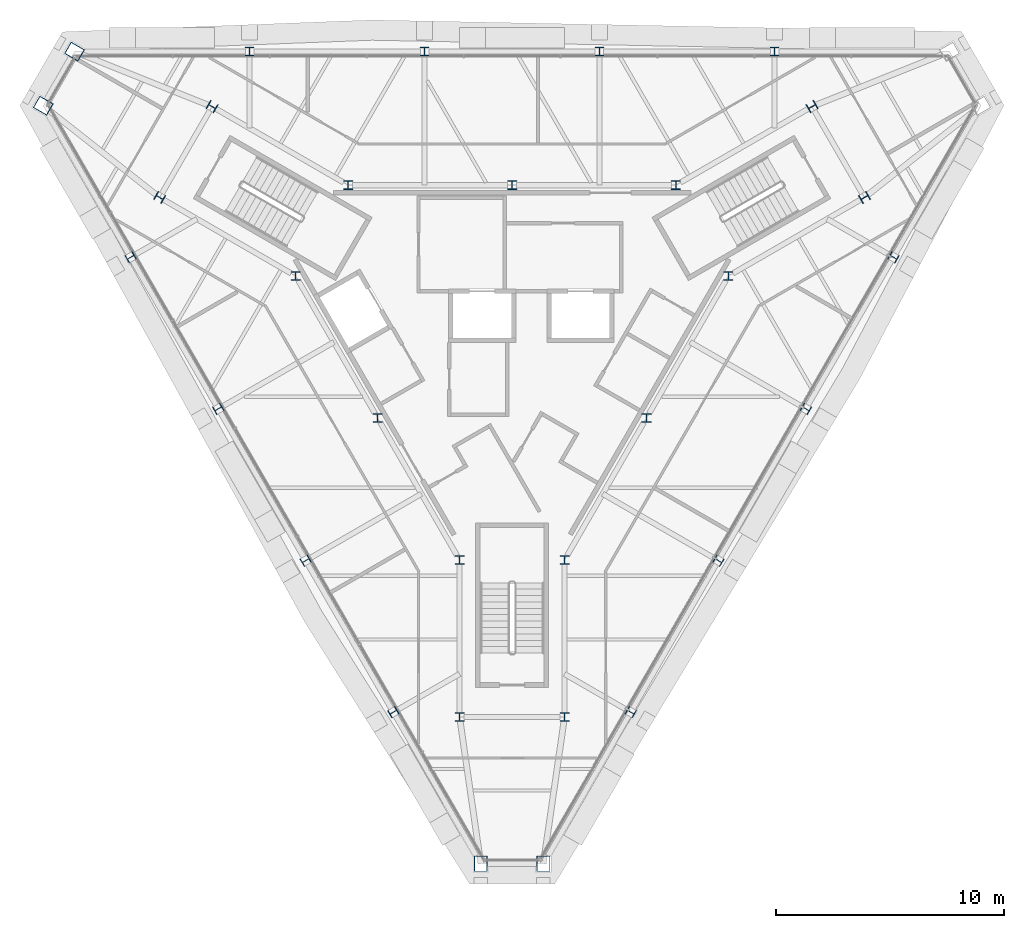
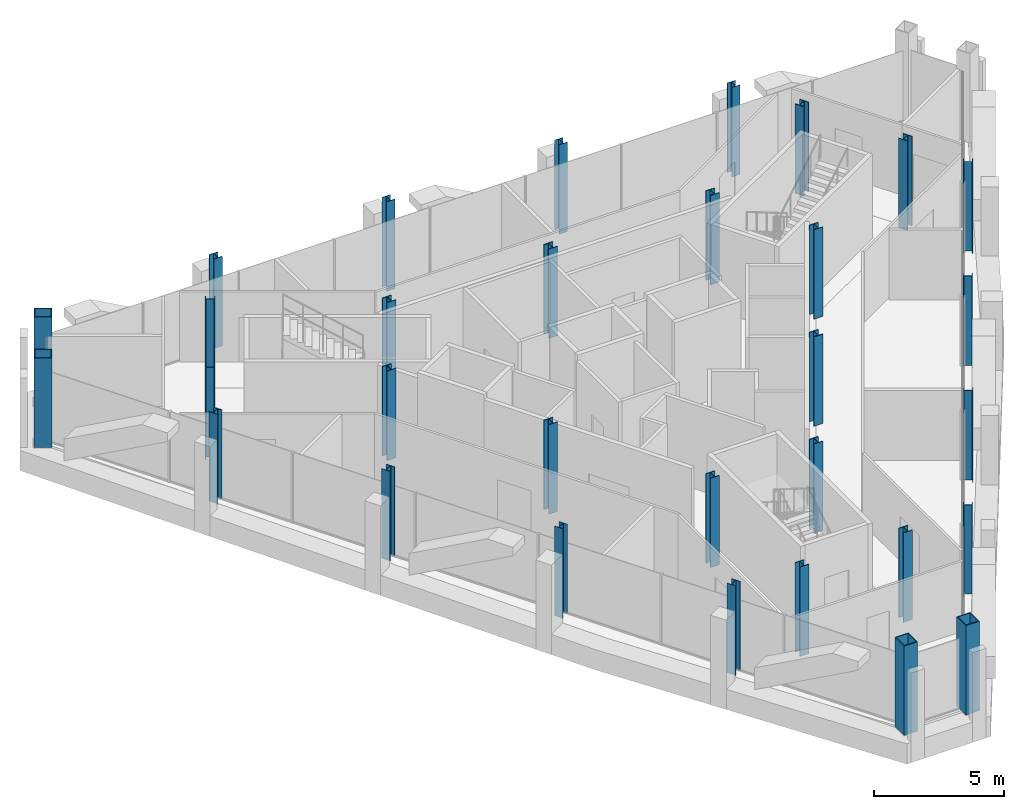
# One storey, part 1 of 13: 31 columns.
"""IFC4 building model written with IfcOpenShell, lengths in metres."""

from ifc_helpers import new_model, si_unit, direction, frame, origin, origin_2d, place, context, subcontext, project, spatial, hollow_rectangle, i_section, extrude, material, material_profile, profile_set, type_object, element, save


model = new_model("IFC4")

# Units and contexts
model_context = context("Model", 3, precision=1e-05, world=origin(), true_north=direction((0.0, 1.0)))
body_context = subcontext(model_context, "Body", "Model", "MODEL_VIEW")
ifc_project = project(units=[si_unit("LENGTHUNIT", "METRE"), si_unit("AREAUNIT", "SQUARE_METRE"), si_unit("VOLUMEUNIT", "CUBIC_METRE"), si_unit("PLANEANGLEUNIT", "RADIAN"), si_unit("MASSUNIT", "GRAM", prefix="KILO")], contexts=[model_context])

# Site, building, storey
site_placement = place(None, origin())
site = spatial("IfcSite", under=ifc_project, at=site_placement, CompositionType="ELEMENT")
building_placement = place(site_placement, origin())
building = spatial("IfcBuilding", under=site, at=building_placement, Name="Verrane Prism Tower", CompositionType="ELEMENT")
storey_placement = place(building_placement, frame((0.0, 0.0, 312.60009765625)))
storey = spatial("IfcBuildingStorey", under=building, at=storey_placement, Name="L79", CompositionType="ELEMENT", Elevation=312.60009765625)

# Columns
ifc_material_1 = material(Name="Steel A992", Category="steel")
ifc_material_profile_1 = material_profile(ifc_material_1, i_section(OverallWidth=0.398681640625, OverallDepth=0.385986328125, WebThickness=0.02099609375, FlangeThickness=0.033203125, FilletRadius=0.01513671875, at=origin_2d()), Name="W14x176")
ifc_profile_set_1 = profile_set([ifc_material_profile_1], Name="Steel A992")
column_type_1 = type_object("IfcColumnType", Name="Core corner column W14x176", PredefinedType="COLUMN", material=ifc_profile_set_1)
for number, where, z_axis, x_axis, name in (
    (1, (15.43994140625, 6.260009765625, 0.0), (0.0, 0.0, 1.0), (0.5, -0.866025403784, 0.0), "Core corner column CK-NEm L79"),
    (2, (13.139892578125, 10.239990234375, 0.0), (0.0, 0.0, 1.0), (0.5, -0.866025403784, 0.0), "Core corner column CK-NEp L79"),
    (3, (-13.139892578125, 10.239990234375, 0.0), (0.0, 0.0, 1.0), (0.5, 0.866025403784, 0.0), "Core corner column CK-NWm L79"),
    (4, (-15.43994140625, 6.260009765625, 0.0), (0.0, 0.0, 1.0), (0.5, 0.866025403784, 0.0), "Core corner column CK-NWp L79"),
    (5, (-2.300048828125, -16.5, 0.0), (0.0, 0.0, 1.0), (-1.0, 0.0, 0.0), "Core corner column CK-Sm L79"),
    (6, (2.300048828125, -16.5, 0.0), (0.0, 0.0, 1.0), (-1.0, 0.0, 0.0), "Core corner column CK-Sp L79"),
):
    element("IfcColumn", number, at=place(storey_placement, frame(where, z_axis=z_axis, x_axis=x_axis)), inside=storey, type_object=column_type_1, Name=name, PredefinedType="COLUMN", context=body_context, shape_type="SweptSolid", body=[
        extrude(i_section(OverallWidth=0.398681640625, OverallDepth=0.385986328125, WebThickness=0.02099609375, FlangeThickness=0.033203125, FilletRadius=0.01513671875, at=origin_2d()), origin(), (0.0, 0.0, 1.0), 4.199951171875),
    ])
ifc_material_2 = material(Name="Steel A992", Category="steel")
ifc_material_profile_2 = material_profile(ifc_material_2, i_section(OverallWidth=0.398681640625, OverallDepth=0.385986328125, WebThickness=0.02099609375, FlangeThickness=0.033203125, FilletRadius=0.01513671875, at=origin_2d()), Name="W14x176")
ifc_profile_set_2 = profile_set([ifc_material_profile_2], Name="Steel A992")
column_type_2 = type_object("IfcColumnType", Name="Core side column W14x176", PredefinedType="COLUMN", material=ifc_profile_set_2)
for number, where, z_axis, x_axis, name in (
    (7, (9.47998046875, 2.820068359375, 0.0), (0.0, 0.0, 1.0), (1.0, 0.0, 0.0), "Core side column CC-NEm L79"),
    (8, (7.179931640625, 6.800048828125, 0.0), (0.0, 0.0, 1.0), (1.0, 0.0, 0.0), "Core side column CC-NEp L79"),
    (9, (0.0, 6.800048828125, 0.0), (0.0, 0.0, 1.0), (1.0, 0.0, 0.0), "Core side column CC-N0 L79"),
    (10, (-7.179931640625, 6.800048828125, 0.0), (0.0, 0.0, 1.0), (1.0, 0.0, 0.0), "Core side column CC-NWm L79"),
    (11, (-9.47998046875, 2.820068359375, 0.0), (0.0, 0.0, 1.0), (1.0, 0.0, 0.0), "Core side column CC-NWp L79"),
    (12, (-5.889892578125, -3.39990234375, 0.0), (0.0, 0.0, 1.0), (1.0, 0.0, 0.0), "Core side column CC-SW0 L79"),
    (13, (-2.300048828125, -9.6201171875, 0.0), (0.0, 0.0, 1.0), (1.0, 0.0, 0.0), "Core side column CC-Sm L79"),
    (14, (2.300048828125, -9.6201171875, 0.0), (0.0, 0.0, 1.0), (1.0, 0.0, 0.0), "Core side column CC-Sp L79"),
    (15, (5.889892578125, -3.39990234375, 0.0), (0.0, 0.0, 1.0), (1.0, 0.0, 0.0), "Core side column CC-SE0 L79"),
):
    element("IfcColumn", number, at=place(storey_placement, frame(where, z_axis=z_axis, x_axis=x_axis)), inside=storey, type_object=column_type_2, Name=name, PredefinedType="COLUMN", context=body_context, shape_type="SweptSolid", body=[
        extrude(i_section(OverallWidth=0.398681640625, OverallDepth=0.385986328125, WebThickness=0.02099609375, FlangeThickness=0.033203125, FilletRadius=0.01513671875, at=origin_2d()), origin(), (0.0, 0.0, 1.0), 4.199951171875),
    ])
ifc_material_3 = material(Name="Steel A572 Grade 50", Category="steel")
ifc_material_profile_3 = material_profile(ifc_material_3, hollow_rectangle(XDim=0.60009765625, YDim=0.699951171875, WallThickness=0.0400390625, at=origin_2d()), Name="BOX 700x600x40")
ifc_profile_set_3 = profile_set([ifc_material_profile_3], Name="Steel A572 Grade 50")
column_type_3 = type_object("IfcColumnType", Name="Megacolumn BOX 700x600x40", PredefinedType="COLUMN", material=ifc_profile_set_3)
for number, where, z_axis, x_axis, name in (
    (16, (-19.169921875, 12.64990234375, 0.0), (0.0, 0.0, 1.0), (0.5, 0.866025403784, 0.0), "Megacolumn MC-NW.a L79"),
    (17, (-20.5400390625, 10.280029296875, 0.0), (0.0, 0.0, 1.0), (0.5, 0.866025403784, 0.0), "Megacolumn MC-NW.b L79"),
    (18, (-1.3701171875, -22.929931640625, 0.0), (0.0, 0.0, 1.0), (-1.0, 0.0, 0.0), "Megacolumn MC-S.a L79"),
    (19, (1.3701171875, -22.929931640625, 0.0), (0.0, 0.0, 1.0), (-1.0, 0.0, 0.0), "Megacolumn MC-S.b L79"),
):
    element("IfcColumn", number, at=place(storey_placement, frame(where, z_axis=z_axis, x_axis=x_axis)), inside=storey, type_object=column_type_3, Name=name, PredefinedType="COLUMN", context=body_context, shape_type="SweptSolid", body=[
        extrude(hollow_rectangle(XDim=0.60009765625, YDim=0.699951171875, WallThickness=0.0400390625, at=origin_2d()), origin(), (0.0, 0.0, 1.0), 4.199951171875),
    ])
ifc_material_4 = material(Name="Steel A992", Category="steel")
ifc_material_profile_4 = material_profile(ifc_material_4, i_section(OverallWidth=0.373291015625, OverallDepth=0.368408203125, WebThickness=0.014892578125, FlangeThickness=0.02392578125, FilletRadius=0.01513671875, at=origin_2d()), Name="W14x120")
ifc_profile_set_4 = profile_set([ifc_material_profile_4], Name="Steel A992")
column_type_4 = type_object("IfcColumnType", Name="Perimeter column W14x120", PredefinedType="COLUMN", material=ifc_profile_set_4)
for number, where, z_axis, x_axis, name in (
    (20, (11.5, 12.64990234375, 0.0), (0.0, 0.0, 1.0), (1.0, 0.0, 0.0), "Perimeter column PC-N1 L79"),
    (21, (3.830078125, 12.64990234375, 0.0), (0.0, 0.0, 1.0), (1.0, 0.0, 0.0), "Perimeter column PC-N2 L79"),
    (22, (-3.830078125, 12.64990234375, 0.0), (0.0, 0.0, 1.0), (1.0, 0.0, 0.0), "Perimeter column PC-N3 L79"),
    (23, (-11.5, 12.64990234375, 0.0), (0.0, 0.0, 1.0), (1.0, 0.0, 0.0), "Perimeter column PC-N4 L79"),
    (24, (-16.7099609375, 3.639892578125, 0.0), (0.0, 0.0, 1.0), (-0.5, 0.866025403784, 0.0), "Perimeter column PC-SW1 L79"),
    (25, (-12.8701171875, -3.0, 0.0), (0.0, 0.0, 1.0), (-0.5, 0.866025403784, 0.0), "Perimeter column PC-SW2 L79"),
    (26, (-9.0400390625, -9.64990234375, 0.0), (0.0, 0.0, 1.0), (-0.5, 0.866025403784, 0.0), "Perimeter column PC-SW3 L79"),
    (27, (-5.199951171875, -16.2900390625, 0.0), (0.0, 0.0, 1.0), (-0.5, 0.866025403784, 0.0), "Perimeter column PC-SW4 L79"),
    (28, (5.199951171875, -16.2900390625, 0.0), (0.0, 0.0, 1.0), (-0.5, -0.866025403784, 0.0), "Perimeter column PC-SE1 L79"),
    (29, (9.0400390625, -9.64990234375, 0.0), (0.0, 0.0, 1.0), (-0.5, -0.866025403784, 0.0), "Perimeter column PC-SE2 L79"),
    (30, (12.8701171875, -3.0, 0.0), (0.0, 0.0, 1.0), (-0.5, -0.866025403784, 0.0), "Perimeter column PC-SE3 L79"),
    (31, (16.7099609375, 3.639892578125, 0.0), (0.0, 0.0, 1.0), (-0.5, -0.866025403784, 0.0), "Perimeter column PC-SE4 L79"),
):
    element("IfcColumn", number, at=place(storey_placement, frame(where, z_axis=z_axis, x_axis=x_axis)), inside=storey, type_object=column_type_4, Name=name, PredefinedType="COLUMN", context=body_context, shape_type="SweptSolid", body=[
        extrude(i_section(OverallWidth=0.373291015625, OverallDepth=0.368408203125, WebThickness=0.014892578125, FlangeThickness=0.02392578125, FilletRadius=0.01513671875, at=origin_2d()), origin(), (0.0, 0.0, 1.0), 4.199951171875),
    ])

save(model, "model.ifc")
